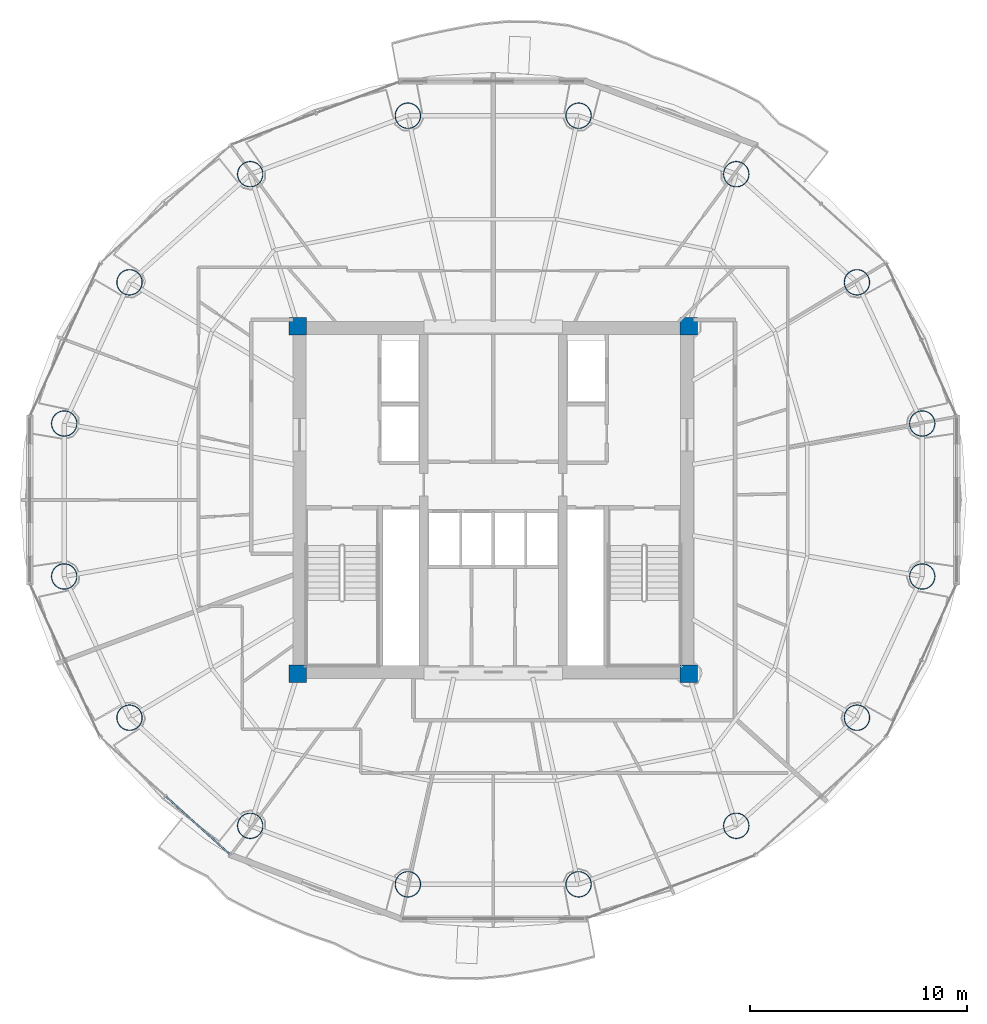
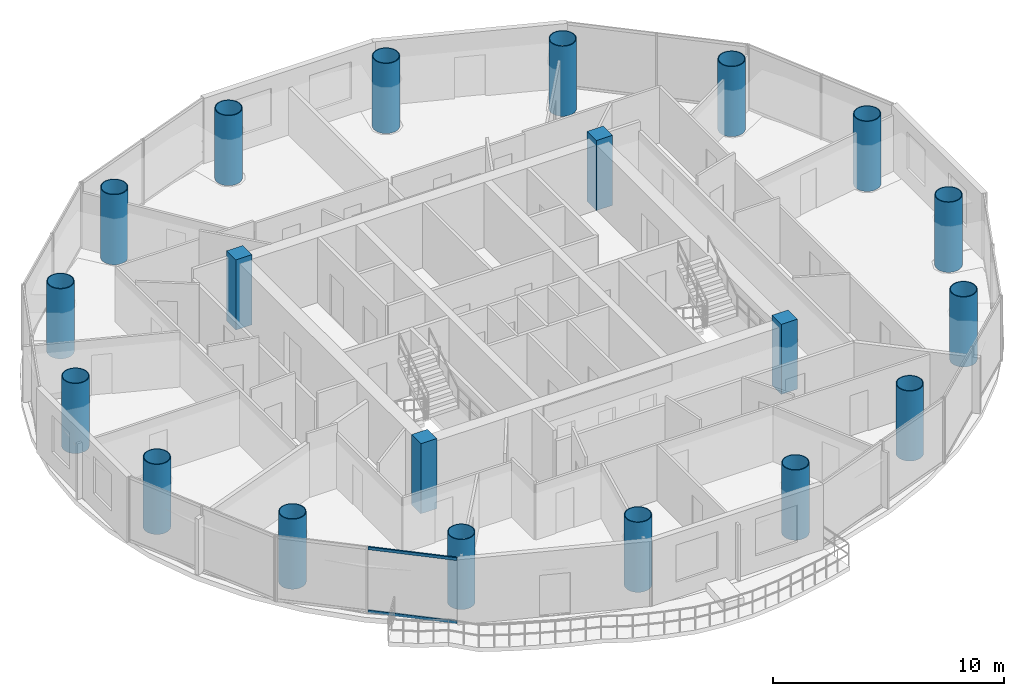
# One storey, part 1 of 26: 20 columns, 2 members, 1 element without a shape of its own.
"""IFC4 building model written with IfcOpenShell, lengths in metres."""

from ifc_helpers import new_model, si_unit, direction, frame, origin, origin_2d, place, context, subcontext, project, spatial, rectangle, hollow_rectangle, hollow_circle, extrude, source, transform, mapped, material, material_profile, profile_set, type_object, element, aggregate, save


model = new_model("IFC4")

# Units and contexts
model_context = context("Model", 3, precision=1e-05, world=origin(), true_north=direction((-0.2419218956, 0.970295726276)))
body_context = subcontext(model_context, "Body", "Model", "MODEL_VIEW")
ifc_project = project(units=[si_unit("LENGTHUNIT", "METRE"), si_unit("AREAUNIT", "SQUARE_METRE"), si_unit("VOLUMEUNIT", "CUBIC_METRE"), si_unit("PLANEANGLEUNIT", "RADIAN"), si_unit("MASSUNIT", "GRAM", prefix="KILO")], contexts=[model_context])

# Site, building, storey
site_placement = place(None, origin())
site = spatial("IfcSite", under=ifc_project, at=site_placement, CompositionType="ELEMENT")
building_placement = place(site_placement, origin())
building = spatial("IfcBuilding", under=site, at=building_placement, Name="Cobrevalo Terracotta Tower", CompositionType="ELEMENT")
storey_placement = place(building_placement, frame((0.0, 0.0, 202.300048828125)))
storey = spatial("IfcBuildingStorey", under=building, at=storey_placement, Name="L53", CompositionType="ELEMENT", Elevation=202.300048828125)

# Columns
ifc_material_1 = material(Name="Steel S355", Category="steel")
ifc_material_profile_1 = material_profile(ifc_material_1, hollow_circle(Radius=0.60009765625, WallThickness=0.0380859375, at=origin_2d()), Name="CHS 1200x38")
ifc_profile_set_1 = profile_set([ifc_material_profile_1], Name="Steel S355")
column_type_1 = type_object("IfcColumnType", Name="Structural Column CHS 1200x38 (Steel S355)", PredefinedType="COLUMN", material=ifc_profile_set_1)
for number, where, z_axis, x_axis, name in (
    (1, (57.762939453125, 30.3212890625, 0.0), (0.0, 0.0, 1.0), (1.0, 0.0, 0.0), "L53 composite megacolumn MC01"),
    (2, (54.754150390625, 36.828125, 0.0), (0.0, 0.0, 1.0), (1.0, 0.0, 0.0), "L53 composite megacolumn MC02"),
    (3, (49.19482421875, 41.80810546875, 0.0), (0.0, 0.0, 1.0), (1.0, 0.0, 0.0), "L53 composite megacolumn MC03"),
    (4, (41.93115234375, 44.503173828125, 0.0), (0.0, 0.0, 1.0), (1.0, 0.0, 0.0), "L53 composite megacolumn MC04"),
    (5, (34.06884765625, 44.503173828125, 0.0), (0.0, 0.0, 1.0), (1.0, 0.0, 0.0), "L53 composite megacolumn MC05"),
    (6, (26.80517578125, 41.80810546875, 0.0), (0.0, 0.0, 1.0), (1.0, 0.0, 0.0), "L53 composite megacolumn MC06"),
    (7, (21.245849609375, 36.828125, 0.0), (0.0, 0.0, 1.0), (1.0, 0.0, 0.0), "L53 composite megacolumn MC07"),
    (8, (18.237060546875, 30.3212890625, 0.0), (0.0, 0.0, 1.0), (1.0, 0.0, 0.0), "L53 composite megacolumn MC08"),
    (9, (18.237060546875, 23.278564453125, 0.0), (0.0, 0.0, 1.0), (1.0, 0.0, 0.0), "L53 composite megacolumn MC09"),
    (10, (21.245849609375, 16.77197265625, 0.0), (0.0, 0.0, 1.0), (1.0, 0.0, 0.0), "L53 composite megacolumn MC10"),
    (11, (26.80517578125, 11.7919921875, 0.0), (0.0, 0.0, 1.0), (1.0, 0.0, 0.0), "L53 composite megacolumn MC11"),
    (12, (34.06884765625, 9.096923828125, 0.0), (0.0, 0.0, 1.0), (1.0, 0.0, 0.0), "L53 composite megacolumn MC12"),
    (13, (41.93115234375, 9.096923828125, 0.0), (0.0, 0.0, 1.0), (1.0, 0.0, 0.0), "L53 composite megacolumn MC13"),
    (14, (49.19482421875, 11.7919921875, 0.0), (0.0, 0.0, 1.0), (1.0, 0.0, 0.0), "L53 composite megacolumn MC14"),
    (15, (54.754150390625, 16.77197265625, 0.0), (0.0, 0.0, 1.0), (1.0, 0.0, 0.0), "L53 composite megacolumn MC15"),
    (16, (57.762939453125, 23.278564453125, 0.0), (0.0, 0.0, 1.0), (1.0, 0.0, 0.0), "L53 composite megacolumn MC16"),
):
    element("IfcColumn", number, at=place(storey_placement, frame(where, z_axis=z_axis, x_axis=x_axis)), inside=storey, type_object=column_type_1, Name=name, PredefinedType="COLUMN", context=body_context, shape_type="SweptSolid", body=[
        extrude(hollow_circle(Radius=0.60009765625, WallThickness=0.0380859375, at=origin_2d()), origin(), (0.0, 0.0, 1.0), 3.699951171875),
    ])
ifc_material_2 = material(Name="Concrete C50", Category="concrete")
ifc_material_profile_2 = material_profile(ifc_material_2, rectangle(XDim=0.800048828125, YDim=0.800048828125, at=origin_2d()), Name="RC COL 800x800")
ifc_profile_set_2 = profile_set([ifc_material_profile_2], Name="Concrete C50")
column_type_2 = type_object("IfcColumnType", Name="Structural Column RC COL 800x800 (Concrete C50)", PredefinedType="COLUMN", material=ifc_profile_set_2)
for number, where, z_axis, x_axis, name in (
    (17, (29.0, 18.800048828125, 0.0), (0.0, 0.0, 1.0), (1.0, 0.0, 0.0), "L53 core corner column CC1"),
    (18, (47.0, 18.800048828125, 0.0), (0.0, 0.0, 1.0), (1.0, 0.0, 0.0), "L53 core corner column CC2"),
    (19, (47.0, 34.800048828125, 0.0), (0.0, 0.0, 1.0), (1.0, 0.0, 0.0), "L53 core corner column CC3"),
    (20, (29.0, 34.800048828125, 0.0), (0.0, 0.0, 1.0), (1.0, 0.0, 0.0), "L53 core corner column CC4"),
):
    element("IfcColumn", number, at=place(storey_placement, frame(where, z_axis=z_axis, x_axis=x_axis)), inside=storey, type_object=column_type_2, Name=name, PredefinedType="COLUMN", context=body_context, shape_type="SweptSolid", body=[
        extrude(rectangle(XDim=0.800048828125, YDim=0.800048828125, at=origin_2d()), origin(), (0.0, 0.0, 1.0), 3.699951171875),
    ])

# Curtain wall, members
ifc_material_3 = material(Name="Anodized aluminium", Category="aluminium")
curtain_wall_type = type_object("IfcCurtainWallType", Name="Mid-tower high-wind unitised curtain wall CW-U2", PredefinedType="NOTDEFINED", material=ifc_material_3)
curtain_wall_placement = place(storey_placement, origin())
curtain_wall = element("IfcCurtainWall", 21, at=curtain_wall_placement, inside=storey, type_object=curtain_wall_type, Name="L53 curtain wall CW-L53-S10", PredefinedType="NOTDEFINED")
ifc_material_profile_3 = material_profile(ifc_material_3, hollow_rectangle(XDim=0.074951171875, YDim=0.14990234375, WallThickness=0.00439453125, at=origin_2d()), Name="CWT 75x150")
ifc_profile_set_3 = profile_set([ifc_material_profile_3], Name="Anodized aluminium")
member_type = type_object("IfcMemberType", Name="Tower unitised aluminium transom 75x150", PredefinedType="USERDEFINED", material=ifc_profile_set_3)
shared_shape = source(origin(), body_context, "Body", "SweptSolid", [
    extrude(hollow_rectangle(XDim=0.074951171875, YDim=0.14990234375, WallThickness=0.00439453125, at=origin_2d()), origin(), (0.0, 0.0, 1.0), 3.927734375),
])
member_1_placement = place(storey_placement, frame((22.931640625, 13.131591796875, 0.050048828125), z_axis=(0.742003891138, -0.670395573923, 0.0), x_axis=(0.670395573923, 0.742003891138, 0.0)))
member_1 = element("IfcMember", 22, at=member_1_placement, type_object=member_type, Name="CW-L53-S10 transom B02-T1", ObjectType="TRANSOM", PredefinedType="USERDEFINED", context=body_context, shape_type="MappedRepresentation", body=[
    mapped(shared_shape, transform((0.0, 0.0, 0.0), scale=1.0)),
])
member_2_placement = place(storey_placement, frame((22.931640625, 13.131591796875, 3.385009765625), z_axis=(0.742003891138, -0.670395573923, 0.0), x_axis=(0.670395573923, 0.742003891138, 0.0)))
member_2 = element("IfcMember", 23, at=member_2_placement, type_object=member_type, Name="CW-L53-S10 transom B02-T2", ObjectType="TRANSOM", PredefinedType="USERDEFINED", context=body_context, shape_type="MappedRepresentation", body=[
    mapped(shared_shape, transform((0.0, 0.0, 0.0), scale=1.0)),
])
aggregate(curtain_wall, [member_1, member_2])

save(model, "model.ifc")
